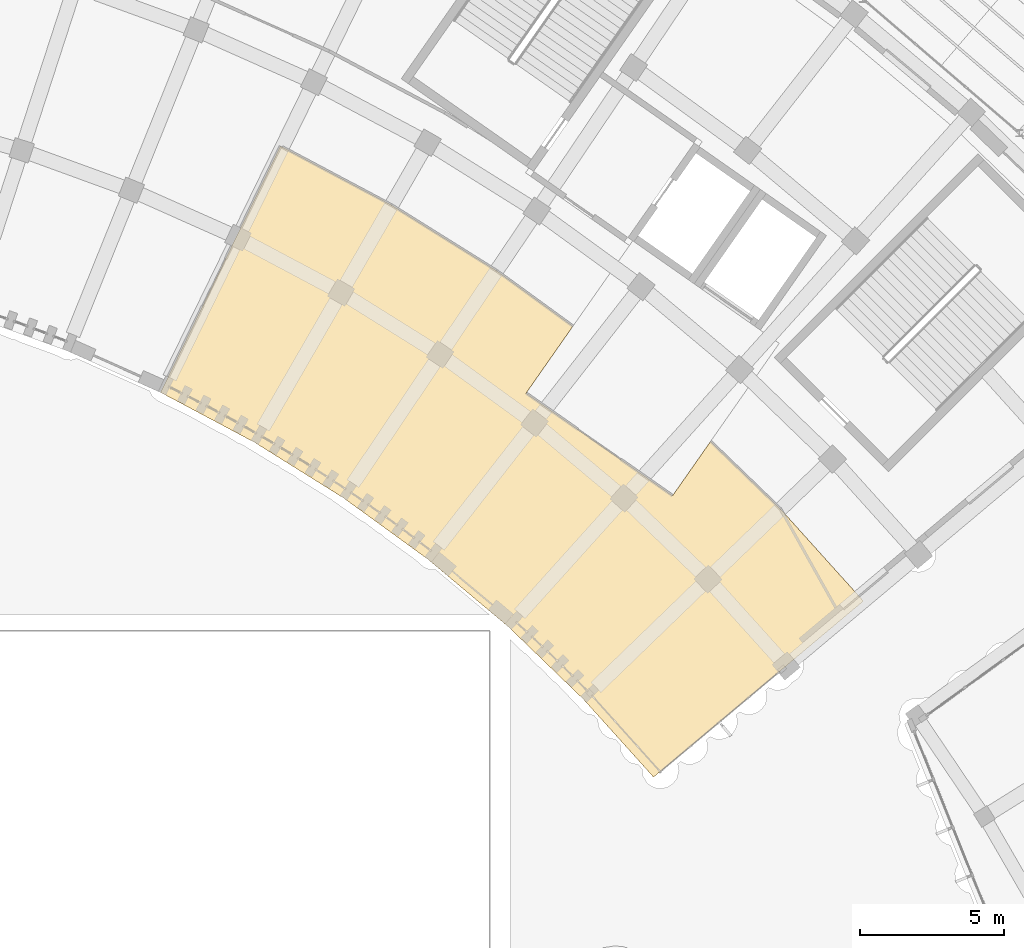
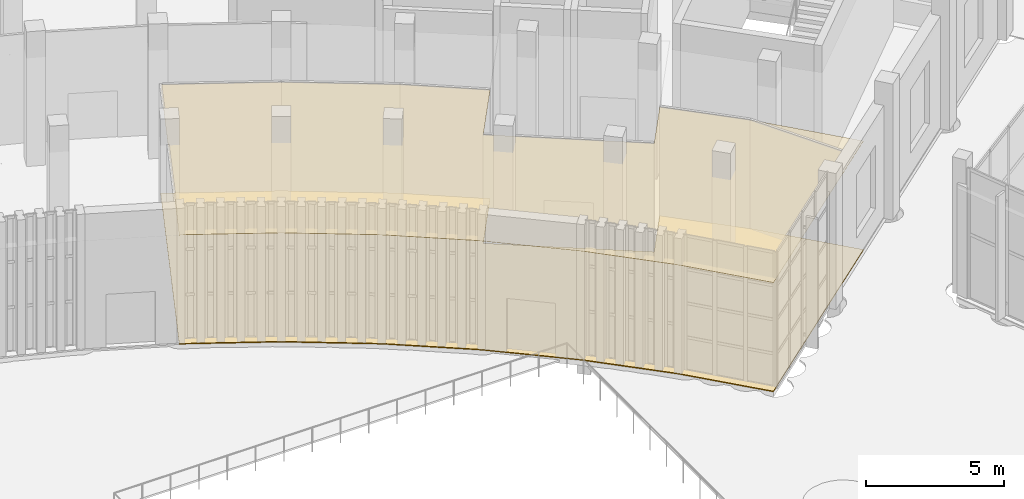
# One storey, part 125 of 155: 2 coverings.
"""IFC4 building model written with IfcOpenShell, lengths in metres."""

import ifcopenshell
import ifcopenshell.guid

model = None  # the IFC model being written
_history = None  # IfcOwnerHistory: only IFC2X3 demands one
_inside = {}  # id of a spatial element -> (the spatial element, [elements in it])
_under = {}  # id of a project, library or spatial element -> (it, [spatial elements below it])
_declared = {}  # id of a project -> (the project, [libraries it declares])
_typed = {}  # id of a type object -> (the type object, [elements of that type])
_made_of = {}  # id of a material, layer set ... -> (it, [elements and type objects made of it])


def new_model(schema):
    """Start an empty IFC model of exactly this schema.

    Asked for "IFC4X3", IfcOpenShell would pick the latest addendum, in which some entities
    have other attributes; the version numbers below select the first issue.
    IFC2X3 requires an IfcOwnerHistory on every rooted entity: one is made here for all.
    """
    global model, _history
    if schema == "IFC4X3":
        model = ifcopenshell.file(schema_version=(4, 3, 0, 0))
    else:
        model = ifcopenshell.file(schema=schema)
    _inside.clear()
    _under.clear()
    _declared.clear()
    _typed.clear()
    _made_of.clear()
    _history = None
    if model.schema == "IFC2X3":
        org = make("IfcOrganization", Name="unknown")
        user = make(
            "IfcPersonAndOrganization",
            ThePerson=make("IfcPerson", FamilyName="unknown"),
            TheOrganization=org,
        )
        app = make(
            "IfcApplication",
            ApplicationDeveloper=org,
            Version="unknown",
            ApplicationFullName="unknown",
            ApplicationIdentifier="unknown",
        )
        _history = make(
            "IfcOwnerHistory",
            OwningUser=user,
            OwningApplication=app,
            ChangeAction="ADDED",
            CreationDate=0,
        )
    return model


def make(cls, **values):
    """One entity of the class cls with the attributes given. An attribute that is None is left unset."""
    return model.create_entity(
        cls, **{name: value for name, value in values.items() if value is not None}
    )


def rooted(cls, **values):
    """An entity with a GlobalId (a new one), such as an element, a storey or a relation."""
    return make(cls, GlobalId=ifcopenshell.guid.new(), OwnerHistory=_history, **values)


def si_unit(unit_type, name, prefix=None):
    """IfcSIUnit, for example si_unit("LENGTHUNIT", "METRE", prefix="MILLI")."""
    return make("IfcSIUnit", UnitType=unit_type, Prefix=prefix, Name=name)


def assignment(units):
    """IfcUnitAssignment: the units of a project."""
    return None if units is None else make("IfcUnitAssignment", Units=units)


def point(xyz):
    """IfcCartesianPoint."""
    return None if xyz is None else make("IfcCartesianPoint", Coordinates=xyz)


def direction(xyz):
    """IfcDirection."""
    return None if xyz is None else make("IfcDirection", DirectionRatios=xyz)


def frame(location, z_axis=None, x_axis=None):
    """IfcAxis2Placement3D, a coordinate frame: its origin and axes. An axis left out is left unset."""
    return make(
        "IfcAxis2Placement3D",
        Location=point(location),
        Axis=direction(z_axis),
        RefDirection=direction(x_axis),
    )


def origin():
    """The frame at (0, 0, 0) with its axes left unset."""
    return frame((0.0, 0.0, 0.0))


def place(relative_to, where):
    """IfcLocalPlacement: puts the frame where relative to a parent placement (None: the world)."""
    return make(
        "IfcLocalPlacement", PlacementRelTo=relative_to, RelativePlacement=where
    )


def context(
    kind, dimensions, precision=None, world=None, true_north=None, identifier=None
):
    """IfcGeometricRepresentationContext, for example the 3D "Model" context."""
    return make(
        "IfcGeometricRepresentationContext",
        ContextIdentifier=identifier,
        ContextType=kind,
        CoordinateSpaceDimension=dimensions,
        Precision=precision,
        WorldCoordinateSystem=world,
        TrueNorth=true_north,
    )


def subcontext(parent, identifier, kind, view, scale=None):
    """IfcGeometricRepresentationSubContext, for example "Body" below "Model"."""
    return make(
        "IfcGeometricRepresentationSubContext",
        ContextIdentifier=identifier,
        ContextType=kind,
        ParentContext=parent,
        TargetScale=scale,
        TargetView=view,
    )


def project(units=None, contexts=None):
    """IfcProject with its units and contexts."""
    return rooted(
        "IfcProject",
        Name="project",
        RepresentationContexts=contexts,
        UnitsInContext=assignment(units),
    )


def spatial(cls, under=None, at=None, **own):
    """A site, building, storey or space (cls), placed at a placement, below another one or the project."""
    s = rooted(cls, ObjectPlacement=at, **own)
    if under is not None:
        _under.setdefault(under.id(), (under, []))[1].append(s)
    return s


def polyline(points):
    """IfcPolyline through the points."""
    return make("IfcPolyline", Points=[point(p) for p in points])


def outline(outer, holes=None, kind="AREA"):
    """IfcArbitraryClosedProfileDef: a profile drawn as a closed curve; with holes, ...WithVoids."""
    if holes is None:
        return make("IfcArbitraryClosedProfileDef", ProfileType=kind, OuterCurve=outer)
    return make(
        "IfcArbitraryProfileDefWithVoids",
        ProfileType=kind,
        OuterCurve=outer,
        InnerCurves=holes,
    )


def extrude(swept, where, along, depth):
    """IfcExtrudedAreaSolid: the profile swept, set in the frame where, extruded along a direction by depth."""
    return make(
        "IfcExtrudedAreaSolid",
        SweptArea=swept,
        Position=where,
        ExtrudedDirection=direction(along),
        Depth=depth,
    )


def shape(context_of_items, identifier, shape_type, items):
    """IfcShapeRepresentation: the items that make up one representation, for example the "Body"."""
    return make(
        "IfcShapeRepresentation",
        ContextOfItems=context_of_items,
        RepresentationIdentifier=identifier,
        RepresentationType=shape_type,
        Items=items,
    )


def material(Name=None, Category=None):
    """IfcMaterial."""
    return make("IfcMaterial", Name=Name, Category=Category)


def layer(
    of_material, thickness, ventilated=None, Name=None, Category=None, Priority=None
):
    """IfcMaterialLayer: one layer of a wall or slab, of a material (None: an air gap)."""
    return make(
        "IfcMaterialLayer",
        Material=of_material,
        LayerThickness=thickness,
        IsVentilated=ventilated,
        Name=Name,
        Category=Category,
        Priority=Priority,
    )


def layer_set(layers, Name=None):
    """IfcMaterialLayerSet."""
    return make("IfcMaterialLayerSet", MaterialLayers=layers, LayerSetName=Name)


def made_of(thing, what):
    """Note that an element or type object is made of a material, layer set ...; save() writes the relation."""
    if what is not None:
        _made_of.setdefault(what.id(), (what, []))[1].append(thing)
    return thing


def type_object(cls, material=None, **own):
    """A type object (cls), such as IfcWallType, which elements share."""
    return made_of(rooted(cls, **own), material)


def element(
    cls,
    number,
    at=None,
    inside=None,
    cuts=None,
    type_object=None,
    material=None,
    context=None,
    identifier="Body",
    shape_type=None,
    held_by="IfcProductDefinitionShape",
    body=None,
    shapes=None,
    **own,
):
    """One element of the class cls, such as IfcWall. Its Tag is "e" and its number.

    at: its placement. inside: the storey or other place that contains it. cuts: it is an
    opening in that element (IfcRelVoidsElement). A single representation is given by context,
    identifier, shape_type and body (its items); several are given by shapes. held_by: the class
    of the entity that holds the representations. save() writes the other relations.
    """
    e = rooted(cls, Tag="e%d" % number, ObjectPlacement=at, **own)
    if body is not None:
        shapes = [shape(context, identifier, shape_type, body)]
    if shapes is not None:
        e.Representation = make(held_by, Representations=shapes)
    if inside is not None:
        _inside.setdefault(inside.id(), (inside, []))[1].append(e)
    if cuts is not None:
        rooted(
            "IfcRelVoidsElement", RelatingBuildingElement=cuts, RelatedOpeningElement=e
        )
    if type_object is not None:
        _typed.setdefault(type_object.id(), (type_object, []))[1].append(e)
    return made_of(e, material)


def aggregate(whole, parts):
    """IfcRelAggregates: a whole, such as a stair, and the parts it consists of."""
    return rooted("IfcRelAggregates", RelatingObject=whole, RelatedObjects=parts)


def save(model, path):
    """Write the relations noted so far, then the file.

    IfcRelAggregates (storeys below a building ...), IfcRelContainedInSpatialStructure (elements
    in a storey), IfcRelDefinesByType, IfcRelAssociatesMaterial and IfcRelDeclares: one each for
    every whole, place, type object, material and project.
    """
    for whole, parts in _under.values():
        aggregate(whole, parts)
    for where, things in _inside.values():
        rooted(
            "IfcRelContainedInSpatialStructure",
            RelatedElements=things,
            RelatingStructure=where,
        )
    for kind, things in _typed.values():
        rooted("IfcRelDefinesByType", RelatedObjects=things, RelatingType=kind)
    for what, things in _made_of.values():
        rooted("IfcRelAssociatesMaterial", RelatedObjects=things, RelatingMaterial=what)
    for by, libraries in _declared.values():
        rooted("IfcRelDeclares", RelatingContext=by, RelatedDefinitions=libraries)
    model.write(path)


model = new_model("IFC4")

# Units and contexts
model_context = context("Model", 3, precision=1e-05, world=origin(), true_north=direction((0.0, 1.0)))
body_context = subcontext(model_context, "Body", "Model", "MODEL_VIEW")
ifc_project = project(units=[si_unit("LENGTHUNIT", "METRE"), si_unit("AREAUNIT", "SQUARE_METRE"), si_unit("VOLUMEUNIT", "CUBIC_METRE"), si_unit("PLANEANGLEUNIT", "RADIAN"), si_unit("MASSUNIT", "GRAM", prefix="KILO")], contexts=[model_context])

# Site, building, storey
site_placement = place(None, origin())
site = spatial("IfcSite", under=ifc_project, at=site_placement, CompositionType="ELEMENT")
building_placement = place(site_placement, origin())
building = spatial("IfcBuilding", under=site, at=building_placement, Name="Lunette Opera House", CompositionType="ELEMENT")
storey_placement = place(building_placement, origin())
storey = spatial("IfcBuildingStorey", under=building, at=storey_placement, Name="L00", CompositionType="ELEMENT", Elevation=0.0)

# Coverings
ifc_material_1 = material(Name="Mineral fibre board")
ifc_layer_1 = layer(ifc_material_1, 0.014892578125)
ifc_layer_set_1 = layer_set([ifc_layer_1], Name="Mineral fibre board")
covering_type_1 = type_object("IfcCoveringType", Name="SUSPENDED ACOUSTIC CEILING 15", PredefinedType="CEILING", material=ifc_layer_set_1)
covering_1_placement = place(storey_placement, frame((0.0, 0.0, 4.81494140625)))
element("IfcCovering", 1, at=covering_1_placement, inside=storey, type_object=covering_type_1, Name="Ceiling Cafe", PredefinedType="CEILING", context=body_context, shape_type="SweptSolid", body=[
    extrude(outline(polyline([(126.75, 53.260986328125), (130.389892578125, 50.986083984375), (133.0390625, 49.06103515625), (131.4140625, 46.739990234375), (136.491943359375, 43.18408203125), (137.81103515625, 45.06689453125), (140.239013671875, 42.720947265625), (143.112060546875, 39.531005859375), (139.1640625, 36.218994140625), (135.833984375, 33.425048828125), (134.14501953125, 35.302001953125), (133.406005859375, 36.1220703125), (130.794921875, 38.64404296875), (128.013916015625, 40.97705078125), (125.077880859375, 43.110107421875), (124.840087890625, 43.259033203125), (122.0, 45.032958984375), (118.794921875, 46.737060546875), (118.739990234375, 46.761962890625), (122.89501953125, 55.304931640625), (122.9599609375, 55.27587890625), (126.75, 53.260986328125)])), origin(), (0.0, 0.0, 1.0), 0.01513671875),
])
ifc_material_2 = material(Name="Timber", Category="wood")
ifc_layer_2 = layer(ifc_material_2, 0.0400390625)
ifc_layer_set_2 = layer_set([ifc_layer_2], Name="Timber")
covering_type_2 = type_object("IfcCoveringType", Name="TIMBER FLOOR FINISH 40", PredefinedType="FLOORING", material=ifc_layer_set_2)
covering_2_placement = place(storey_placement, origin())
element("IfcCovering", 2, at=covering_2_placement, inside=storey, type_object=covering_type_2, Name="Floor finish Cafe", PredefinedType="FLOORING", context=body_context, shape_type="SweptSolid", body=[
    extrude(outline(polyline([(126.75, 53.260986328125), (130.389892578125, 50.986083984375), (133.0390625, 49.06103515625), (131.4140625, 46.739990234375), (136.491943359375, 43.18408203125), (137.81103515625, 45.06689453125), (140.239013671875, 42.720947265625), (143.112060546875, 39.531005859375), (139.1640625, 36.218994140625), (135.833984375, 33.425048828125), (134.14501953125, 35.302001953125), (133.406005859375, 36.1220703125), (130.794921875, 38.64404296875), (128.013916015625, 40.97705078125), (125.077880859375, 43.110107421875), (124.840087890625, 43.259033203125), (122.0, 45.032958984375), (118.794921875, 46.737060546875), (118.739990234375, 46.761962890625), (122.89501953125, 55.304931640625), (122.9599609375, 55.27587890625), (126.75, 53.260986328125)])), origin(), (0.0, 0.0, 1.0), 0.0400390625),
])

save(model, "model.ifc")
